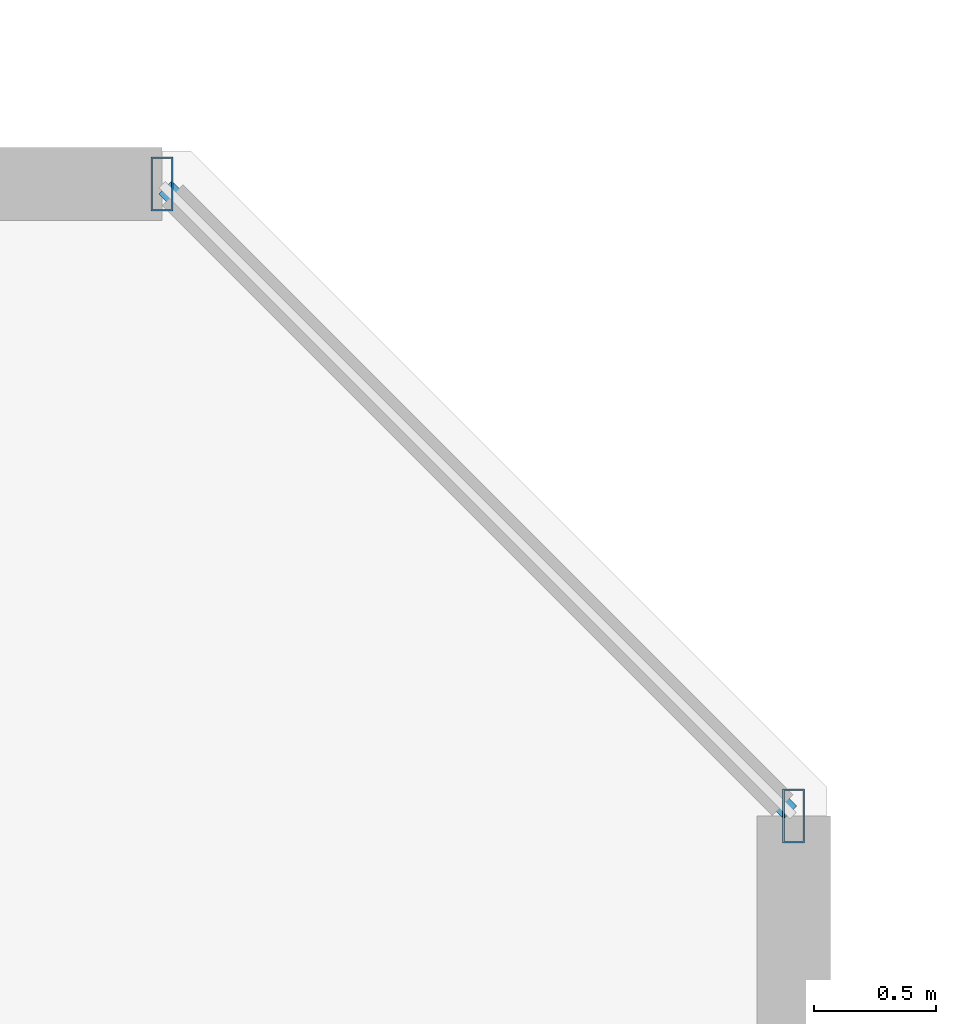
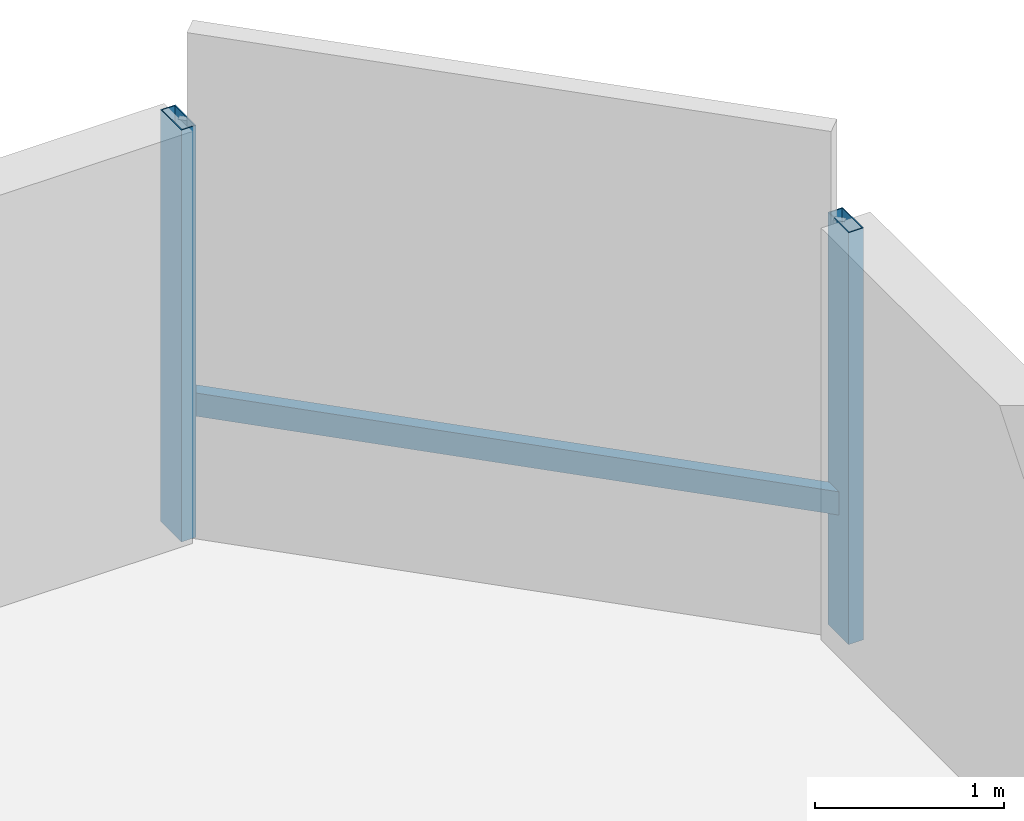
# One storey, part 19 of 36: 3 members, 1 element without a shape of its own.
"""IFC4 building model written with IfcOpenShell, lengths in metres."""

from ifc_helpers import new_model, si_unit, direction, frame, origin, origin_2d, place, context, subcontext, project, spatial, hollow_rectangle, extrude, material, material_profile, profile_set, type_object, element, aggregate, save


model = new_model("IFC4")

# Units and contexts
model_context = context("Model", 3, precision=1e-05, world=origin(), true_north=direction((0.0, 1.0)))
body_context = subcontext(model_context, "Body", "Model", "MODEL_VIEW")
ifc_project = project(units=[si_unit("LENGTHUNIT", "METRE"), si_unit("AREAUNIT", "SQUARE_METRE"), si_unit("VOLUMEUNIT", "CUBIC_METRE"), si_unit("PLANEANGLEUNIT", "RADIAN"), si_unit("MASSUNIT", "GRAM", prefix="KILO")], contexts=[model_context])

# Site, building, storey
site_placement = place(None, origin())
site = spatial("IfcSite", under=ifc_project, at=site_placement, CompositionType="ELEMENT")
building_placement = place(site_placement, origin())
building = spatial("IfcBuilding", under=site, at=building_placement, Name="Thornwick Lancets Civic Towers", CompositionType="ELEMENT")
storey_placement = place(building_placement, frame((0.0, 0.0, 68.10009765625)))
storey = spatial("IfcBuildingStorey", under=building, at=storey_placement, Name="L17", CompositionType="ELEMENT", Elevation=68.10009765625)

# Curtain wall, members
ifc_material_1 = material(Name="Low-zone chamfered-corner unitised glass curtain wall", Category="glass")
curtain_wall_type = type_object("IfcCurtainWallType", Name="CW_SYS_03", PredefinedType="NOTDEFINED", material=ifc_material_1)
curtain_wall_placement = place(storey_placement, origin())
curtain_wall = element("IfcCurtainWall", 1, at=curtain_wall_placement, inside=storey, type_object=curtain_wall_type, Name="L17 Curtain Wall CW-L17-B-E3", PredefinedType="NOTDEFINED")
ifc_material_2 = material(Name="Thermally broken bronze aluminium S355", Category="steel")
ifc_material_profile_1 = material_profile(ifc_material_2, hollow_rectangle(XDim=0.090087890625, YDim=0.219970703125, WallThickness=0.00634765625, at=origin_2d()), Name="RHS 220x90x6.3")
ifc_profile_set_1 = profile_set([ifc_material_profile_1], Name="Thermally broken bronze aluminium S355")
member_type_1 = type_object("IfcMemberType", Name="CW_MUL_220", PredefinedType="MULLION", material=ifc_profile_set_1)
member_1_placement = place(storey_placement, frame((112.764892578125, 48.68115234375, 0.0), z_axis=(0.0, 0.0, 1.0), x_axis=(1.0, 0.0, 0.0)))
member_1 = element("IfcMember", 2, at=member_1_placement, type_object=member_type_1, Name="CW-L17-B-E3 Mullion 0", PredefinedType="MULLION", context=body_context, shape_type="SweptSolid", body=[
    extrude(hollow_rectangle(XDim=0.090087890625, YDim=0.219970703125, WallThickness=0.00634765625, at=origin_2d()), origin(), (0.0, 0.0, 1.0), 2.659912109375),
])
member_2_placement = place(storey_placement, frame((110.18115234375, 51.264892578125, 0.0), z_axis=(0.0, 0.0, 1.0), x_axis=(1.0, 0.0, 0.0)))
member_2 = element("IfcMember", 3, at=member_2_placement, type_object=member_type_1, Name="CW-L17-B-E3 Mullion 1", PredefinedType="MULLION", context=body_context, shape_type="SweptSolid", body=[
    extrude(hollow_rectangle(XDim=0.090087890625, YDim=0.219970703125, WallThickness=0.00634765625, at=origin_2d()), origin(), (0.0, 0.0, 1.0), 2.659912109375),
])
ifc_material_profile_2 = material_profile(ifc_material_2, hollow_rectangle(XDim=0.074951171875, YDim=0.14990234375, WallThickness=0.0048828125, at=origin_2d()), Name="RHS 150x75x5")
ifc_profile_set_2 = profile_set([ifc_material_profile_2], Name="Thermally broken bronze aluminium S355")
member_type_2 = type_object("IfcMemberType", Name="CW_TRN_150", PredefinedType="USERDEFINED", material=ifc_profile_set_2)
member_3_placement = place(storey_placement, frame((112.750732421875, 48.6953125, 0.849853515625), z_axis=(-0.707106781187, 0.707106781187, 0.0), x_axis=(-0.707106781187, -0.707106781187, 0.0)))
member_3 = element("IfcMember", 4, at=member_3_placement, type_object=member_type_2, Name="CW-L17-B-E3 Transom 0", ObjectType="TRANSOM", PredefinedType="USERDEFINED", context=body_context, shape_type="SweptSolid", body=[
    extrude(hollow_rectangle(XDim=0.074951171875, YDim=0.14990234375, WallThickness=0.0048828125, at=origin_2d()), origin(), (0.0, 0.0, 1.0), 3.614013671875),
])
aggregate(curtain_wall, [member_1, member_2, member_3])

save(model, "model.ifc")
